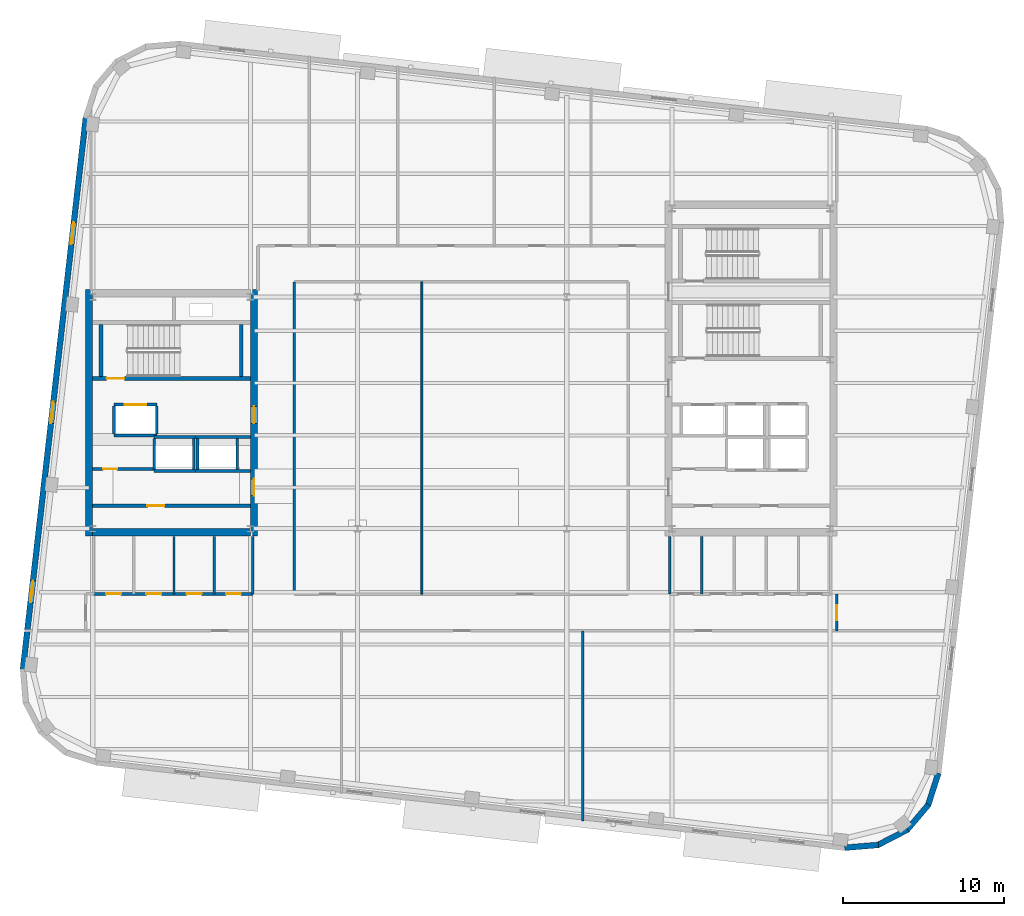
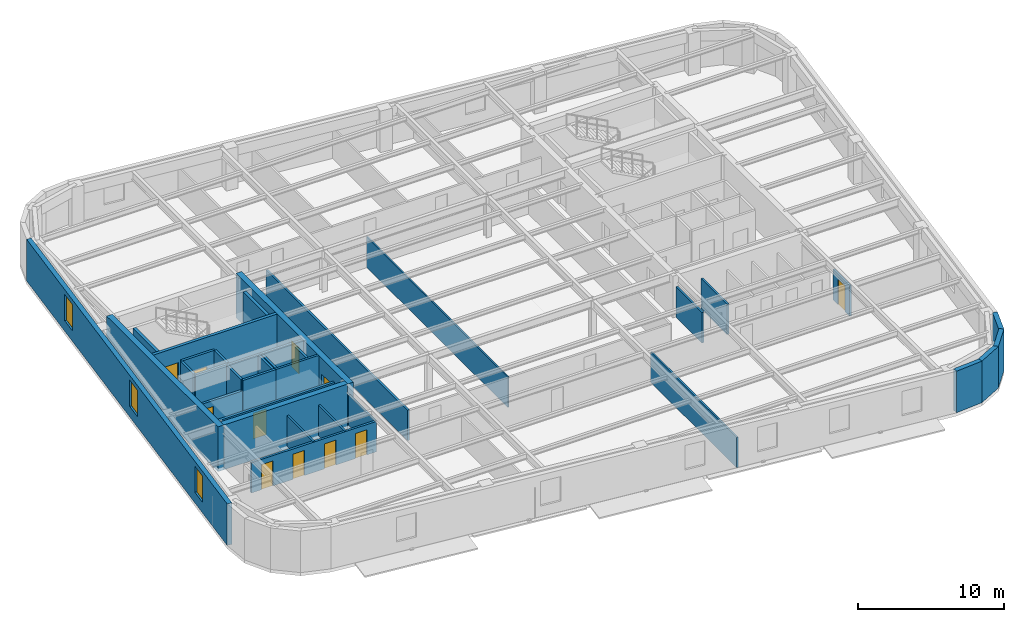
# One storey, part 6 of 13: 35 walls, 11 doors, 3 windows, 14 openings.
"""IFC4 building model written with IfcOpenShell, lengths in metres."""

from ifc_helpers import new_model, si_unit, direction, frame, frame_2d, origin, place, context, subcontext, project, spatial, rectangle, extrude, material, layer, layer_set, type_object, element, fill, save


model = new_model("IFC4")

# Units and contexts
model_context = context("Model", 3, precision=1e-05, world=origin(), true_north=direction((0.0, 1.0)))
body_context = subcontext(model_context, "Body", "Model", "MODEL_VIEW")
ifc_project = project(units=[si_unit("LENGTHUNIT", "METRE"), si_unit("AREAUNIT", "SQUARE_METRE"), si_unit("VOLUMEUNIT", "CUBIC_METRE"), si_unit("PLANEANGLEUNIT", "RADIAN"), si_unit("MASSUNIT", "GRAM", prefix="KILO")], contexts=[model_context])

# Site, building, storey
site_placement = place(None, origin())
site = spatial("IfcSite", under=ifc_project, at=site_placement, CompositionType="ELEMENT")
building_placement = place(site_placement, origin())
building = spatial("IfcBuilding", under=site, at=building_placement, Name="Kolvaren Arena Tower", CompositionType="ELEMENT")
storey_placement = place(building_placement, frame((0.0, 0.0, 254.699951171875)))
storey = spatial("IfcBuildingStorey", under=building, at=storey_placement, Name="L62", CompositionType="ELEMENT", Elevation=254.699951171875)

# Wall
ifc_material_1 = material(Name="Gypsum board acoustic assembly", Category="gypsum")
ifc_layer_1 = layer(ifc_material_1, 0.159912109375)
ifc_layer_set_1 = layer_set([ifc_layer_1], Name="Gypsum board acoustic assembly")
wall_type_1 = type_object("IfcWallType", Name="CORR-160", PredefinedType="PARTITIONING", material=ifc_layer_set_1)
wall_1_placement = place(storey_placement, frame((27.080078125, 15.3798828125, 0.0), z_axis=(0.0, 0.0, 1.0), x_axis=(0.0, 1.0, 0.0)))
element("IfcWall", 1, at=wall_1_placement, inside=storey, type_object=wall_type_1, Name="Interior Partition Wall (L62)", PredefinedType="PARTITIONING", context=body_context, shape_type="SweptSolid", body=[
    extrude(rectangle(XDim=19.400146484375, YDim=0.159912109375, at=frame_2d((9.7001953125, 0.0))), origin(), (0.0, 0.0, 1.0), 2.5400390625),
])

# Wall, opening, door
wall_2_placement = place(storey_placement, frame((60.780029296875, 13.10009765625, 0.0), z_axis=(0.0, 0.0, 1.0), x_axis=(0.0, 1.0, 0.0)))
wall_2 = element("IfcWall", 2, at=wall_2_placement, inside=storey, type_object=wall_type_1, Name="Interior Partition Wall (L62)", PredefinedType="PARTITIONING", context=body_context, shape_type="SweptSolid", body=[
    extrude(rectangle(XDim=2.2998046875, YDim=0.159912109375, at=frame_2d((1.14990234375, 0.0))), origin(), (0.0, 0.0, 1.0), 2.5400390625),
])
opening_1_placement = place(wall_2_placement, frame((0.64990234375, 0.0, 0.0)))
opening_1 = element("IfcOpeningElement", 3, at=opening_1_placement, cuts=wall_2, Name="Opening D05", PredefinedType="OPENING", context=body_context, shape_type="SweptSolid", body=[
    extrude(rectangle(XDim=0.949951171875, YDim=2.14990234375, at=frame_2d((0.47509765625, 1.074951171875))), frame((0.0, 0.08984375, 0.0), z_axis=(0.0, -1.0, 0.0), x_axis=(1.0, 0.0, 0.0)), (0.0, 0.0, 1.0), 0.179931640625),
])
ifc_material_2 = material(Name="Solid-core oak acoustic office door", Category="wood")
door_type_1 = type_object("IfcDoorType", Name="DOOR-OF-095", OperationType="NOTDEFINED", PredefinedType="DOOR", material=ifc_material_2)
door_1_placement = place(opening_1_placement, origin())
door_1 = element("IfcDoor", 4, at=door_1_placement, inside=storey, type_object=door_type_1, Name="East Wing Studio Door (L62)", OperationType="SINGLE_SWING_RIGHT", OverallHeight=2.14990234375, OverallWidth=0.949951171875, PredefinedType="DOOR", context=body_context, shape_type="SweptSolid", body=[
    extrude(rectangle(XDim=0.949951171875, YDim=2.14990234375, at=frame_2d((0.47509765625, 1.074951171875))), frame((0.0, 0.02490234375, 0.0), z_axis=(0.0, -1.0, 0.0), x_axis=(1.0, 0.0, 0.0)), (0.0, 0.0, 1.0), 0.050048828125),
])
fill(opening_1, door_1)

# Wall
ifc_material_3 = material(Name="Concrete 55 MPa", Category="concrete")
ifc_layer_2 = layer(ifc_material_3, 0.449951171875)
ifc_layer_set_2 = layer_set([ifc_layer_2], Name="Concrete 55 MPa")
wall_type_2 = type_object("IfcWallType", Name="CWALL-450", PredefinedType="SHEAR", material=ifc_layer_set_2)
wall_3_placement = place(storey_placement, frame((14.324951171875, 19.0, -0.27001953125), z_axis=(0.0, 0.0, 1.0), x_axis=(0.0, 1.0, 0.0)))
element("IfcWall", 5, at=wall_3_placement, inside=storey, type_object=wall_type_2, Name="Core Shear Wall WC-WEST (L62)", PredefinedType="SHEAR", context=body_context, shape_type="SweptSolid", body=[
    extrude(rectangle(XDim=15.300048828125, YDim=0.449951171875, at=frame_2d((7.64990234375, 0.0))), origin(), (0.0, 0.0, 1.0), 3.75),
])

# Wall, openings, doors
wall_4_placement = place(storey_placement, frame((24.574951171875, 19.0, -0.27001953125), z_axis=(0.0, 0.0, 1.0), x_axis=(0.0, 1.0, 0.0)))
wall_4 = element("IfcWall", 6, at=wall_4_placement, inside=storey, type_object=wall_type_2, Name="Core Shear Wall WC-EAST (L62)", PredefinedType="SHEAR", context=body_context, shape_type="SweptSolid", body=[
    extrude(rectangle(XDim=15.300048828125, YDim=0.449951171875, at=frame_2d((7.64990234375, 0.0))), origin(), (0.0, 0.0, 1.0), 3.75),
])
opening_2_placement = place(wall_4_placement, frame((2.5, 0.0, 0.27001953125)))
opening_2 = element("IfcOpeningElement", 7, at=opening_2_placement, cuts=wall_4, Name="Opening D04", PredefinedType="OPENING", context=body_context, shape_type="SweptSolid", body=[
    extrude(rectangle(XDim=1.050048828125, YDim=2.14990234375, at=frame_2d((0.52490234375, 1.074951171875))), frame((0.0, 0.23486328125, 0.0), z_axis=(0.0, -1.0, 0.0), x_axis=(1.0, 0.0, 0.0)), (0.0, 0.0, 1.0), 0.469970703125),
])
opening_3_placement = place(wall_4_placement, frame((7.0, 0.0, 0.27001953125)))
opening_3 = element("IfcOpeningElement", 8, at=opening_3_placement, cuts=wall_4, Name="Opening D04", PredefinedType="OPENING", context=body_context, shape_type="SweptSolid", body=[
    extrude(rectangle(XDim=1.050048828125, YDim=2.14990234375, at=frame_2d((0.52490234375, 1.074951171875))), frame((0.0, 0.23486328125, 0.0), z_axis=(0.0, -1.0, 0.0), x_axis=(1.0, 0.0, 0.0)), (0.0, 0.0, 1.0), 0.469970703125),
])
ifc_material_4 = material(Name="Fire-rated steel lobby door", Category="steel")
door_type_2 = type_object("IfcDoorType", Name="DOOR-FF-105", OperationType="NOTDEFINED", PredefinedType="DOOR", material=ifc_material_4)
door_2_placement = place(opening_2_placement, origin())
door_2 = element("IfcDoor", 9, at=door_2_placement, inside=storey, type_object=door_type_2, Name="West Lift Lobby Fire Door (L62)", OperationType="SINGLE_SWING_LEFT", OverallHeight=2.14990234375, OverallWidth=1.050048828125, PredefinedType="DOOR", context=body_context, shape_type="SweptSolid", body=[
    extrude(rectangle(XDim=1.050048828125, YDim=2.14990234375, at=frame_2d((0.52490234375, 1.074951171875))), frame((0.0, 0.02490234375, 0.0), z_axis=(0.0, -1.0, 0.0), x_axis=(1.0, 0.0, 0.0)), (0.0, 0.0, 1.0), 0.050048828125),
])
fill(opening_2, door_2)
door_3_placement = place(opening_3_placement, origin())
door_3 = element("IfcDoor", 10, at=door_3_placement, inside=storey, type_object=door_type_2, Name="West Firefighter Vestibule Door (L62)", OperationType="SINGLE_SWING_RIGHT", OverallHeight=2.14990234375, OverallWidth=1.050048828125, PredefinedType="DOOR", context=body_context, shape_type="SweptSolid", body=[
    extrude(rectangle(XDim=1.050048828125, YDim=2.14990234375, at=frame_2d((0.52490234375, 1.074951171875))), frame((0.0, 0.02490234375, 0.0), z_axis=(0.0, -1.0, 0.0), x_axis=(1.0, 0.0, 0.0)), (0.0, 0.0, 1.0), 0.050048828125),
])
fill(opening_3, door_3)

# Walls
wall_5_placement = place(storey_placement, frame((14.550048828125, 19.22509765625, -0.27001953125), z_axis=(0.0, 0.0, 1.0), x_axis=(1.0, 0.0, 0.0)))
element("IfcWall", 11, at=wall_5_placement, inside=storey, type_object=wall_type_2, Name="Core Shear Wall WC-SOUTH (L62)", PredefinedType="SHEAR", context=body_context, shape_type="SweptSolid", body=[
    extrude(rectangle(XDim=9.800048828125, YDim=0.449951171875, at=frame_2d((4.89990234375, 0.0))), origin(), (0.0, 0.0, 1.0), 3.75),
])
ifc_material_5 = material(Name="Precast concrete C50/60", Category="concrete")
ifc_layer_3 = layer(ifc_material_5, 0.360107421875)
ifc_layer_set_3 = layer_set([ifc_layer_3], Name="Precast concrete C50/60")
wall_type_3 = type_object("IfcWallType", Name="EXT-PIER2", PredefinedType="SOLIDWALL", material=ifc_layer_set_3)
wall_6_placement = place(storey_placement, frame((63.370361328125, -0.199462890625, 0.0), z_axis=(0.0, 0.0, 1.0), x_axis=(-0.996562518477, -0.082844111233, 0.0)))
element("IfcWall", 12, at=wall_6_placement, inside=storey, type_object=wall_type_3, Name="Exterior Precast Masonry-Frame Wall (L62)", PredefinedType="SOLIDWALL", context=body_context, shape_type="SweptSolid", body=[
    extrude(rectangle(XDim=2.107177734375, YDim=0.360107421875, at=frame_2d((1.0537109375, 0.0))), origin(), (0.0, 0.0, 1.0), 3.47998046875),
])
for number, where, z_axis, x_axis, name in (
    (13, (65.176025390625, 0.745849609375, 0.0), (0.0, 0.0, 1.0), (-0.888985992199, -0.457934390142, 0.0), "Exterior Precast Masonry-Frame Wall (L62)"),
    (14, (66.482421875, 2.310302734375, 0.0), (0.0, 0.0, 1.0), (-0.646103249464, -0.763250018691, 0.0), "Exterior Precast Masonry-Frame Wall (L62)"),
):
    element("IfcWall", number, at=place(storey_placement, frame(where, z_axis=z_axis, x_axis=x_axis)), inside=storey, type_object=wall_type_3, Name=name, PredefinedType="SOLIDWALL", context=body_context, shape_type="SweptSolid", body=[
        extrude(rectangle(XDim=2.10693359375, YDim=0.360107421875, at=frame_2d((1.053466796875, 0.0))), origin(), (0.0, 0.0, 1.0), 3.47998046875),
    ])
wall_7_placement = place(storey_placement, frame((67.0908203125, 4.255615234375, 0.0), z_axis=(0.0, 0.0, 1.0), x_axis=(-0.304838787518, -0.952403965565, 0.0)))
element("IfcWall", 15, at=wall_7_placement, inside=storey, type_object=wall_type_3, Name="Exterior Precast Masonry-Frame Wall (L62)", PredefinedType="SOLIDWALL", context=body_context, shape_type="SweptSolid", body=[
    extrude(rectangle(XDim=2.107177734375, YDim=0.360107421875, at=frame_2d((1.0537109375, 0.0))), origin(), (0.0, 0.0, 1.0), 3.47998046875),
])

# Wall, openings, windows
wall_8_placement = place(storey_placement, frame((10.211181640625, 10.70068359375, 0.0), z_axis=(0.0, 0.0, 1.0), x_axis=(0.113203107947, 0.993571867733, 0.0)))
wall_8 = element("IfcWall", 16, at=wall_8_placement, inside=storey, type_object=wall_type_3, Name="Exterior Precast Masonry-Frame Wall (L62)", PredefinedType="SOLIDWALL", context=body_context, shape_type="SweptSolid", body=[
    extrude(rectangle(XDim=34.5, YDim=0.360107421875, at=frame_2d((17.25, 0.0))), origin(), (0.0, 0.0, 1.0), 3.47998046875),
])
opening_4_placement = place(wall_8_placement, frame((4.199951171875, 0.0, 0.8798828125)))
opening_4 = element("IfcOpeningElement", 17, at=opening_4_placement, cuts=wall_8, Name="Opening W04", PredefinedType="OPENING", context=body_context, shape_type="SweptSolid", body=[
    extrude(rectangle(XDim=1.35009765625, YDim=2.199951171875, at=frame_2d((0.675048828125, 1.10009765625))), frame((0.0, 0.18994140625, 0.0), z_axis=(0.0, -1.0, 0.0), x_axis=(1.0, 0.0, 0.0)), (0.0, 0.0, 1.0), 0.380126953125),
])
opening_5_placement = place(wall_8_placement, frame((15.39990234375, 0.0, 0.8798828125)))
opening_5 = element("IfcOpeningElement", 18, at=opening_5_placement, cuts=wall_8, Name="Opening W04", PredefinedType="OPENING", context=body_context, shape_type="SweptSolid", body=[
    extrude(rectangle(XDim=1.35009765625, YDim=2.199951171875, at=frame_2d((0.675048828125, 1.10009765625))), frame((0.0, 0.18994140625, 0.0), z_axis=(0.0, -1.0, 0.0), x_axis=(1.0, 0.0, 0.0)), (0.0, 0.0, 1.0), 0.380126953125),
])
opening_6_placement = place(wall_8_placement, frame((26.60009765625, 0.0, 0.8798828125)))
opening_6 = element("IfcOpeningElement", 19, at=opening_6_placement, cuts=wall_8, Name="Opening W04", PredefinedType="OPENING", context=body_context, shape_type="SweptSolid", body=[
    extrude(rectangle(XDim=1.35009765625, YDim=2.199951171875, at=frame_2d((0.675048828125, 1.10009765625))), frame((0.0, 0.18994140625, 0.0), z_axis=(0.0, -1.0, 0.0), x_axis=(1.0, 0.0, 0.0)), (0.0, 0.0, 1.0), 0.380126953125),
])
ifc_material_6 = material(Name="Triple-glazed curved-facet corner window", Category="glass")
window_type = type_object("IfcWindowType", Name="WIN-CRN-A", PartitioningType="SINGLE_PANEL", PredefinedType="WINDOW", material=ifc_material_6)
window_1_placement = place(opening_4_placement, origin())
window_1 = element("IfcWindow", 20, at=window_1_placement, inside=storey, type_object=window_type, Name="End-Wall Punched Window (L62)", OverallHeight=2.199951171875, OverallWidth=1.35009765625, PartitioningType="SINGLE_PANEL", PredefinedType="WINDOW", context=body_context, shape_type="SweptSolid", body=[
    extrude(rectangle(XDim=1.35009765625, YDim=2.199951171875, at=frame_2d((0.675048828125, 1.10009765625))), frame((0.0, 0.030029296875, 0.0), z_axis=(0.0, -1.0, 0.0), x_axis=(1.0, 0.0, 0.0)), (0.0, 0.0, 1.0), 0.06005859375),
])
fill(opening_4, window_1)
window_2_placement = place(opening_5_placement, origin())
window_2 = element("IfcWindow", 21, at=window_2_placement, inside=storey, type_object=window_type, Name="End-Wall Punched Window (L62)", OverallHeight=2.199951171875, OverallWidth=1.35009765625, PartitioningType="SINGLE_PANEL", PredefinedType="WINDOW", context=body_context, shape_type="SweptSolid", body=[
    extrude(rectangle(XDim=1.35009765625, YDim=2.199951171875, at=frame_2d((0.675048828125, 1.10009765625))), frame((0.0, 0.030029296875, 0.0), z_axis=(0.0, -1.0, 0.0), x_axis=(1.0, 0.0, 0.0)), (0.0, 0.0, 1.0), 0.06005859375),
])
fill(opening_5, window_2)
window_3_placement = place(opening_6_placement, origin())
window_3 = element("IfcWindow", 22, at=window_3_placement, inside=storey, type_object=window_type, Name="End-Wall Punched Window (L62)", OverallHeight=2.199951171875, OverallWidth=1.35009765625, PartitioningType="SINGLE_PANEL", PredefinedType="WINDOW", context=body_context, shape_type="SweptSolid", body=[
    extrude(rectangle(XDim=1.35009765625, YDim=2.199951171875, at=frame_2d((0.675048828125, 1.10009765625))), frame((0.0, 0.030029296875, 0.0), z_axis=(0.0, -1.0, 0.0), x_axis=(1.0, 0.0, 0.0)), (0.0, 0.0, 1.0), 0.06005859375),
])
fill(opening_6, window_3)

# Wall, opening, door
ifc_material_7 = material(Name="Concrete 40 MPa", Category="concrete")
ifc_layer_4 = layer(ifc_material_7, 0.199951171875)
ifc_layer_set_4 = layer_set([ifc_layer_4], Name="Concrete 40 MPa")
wall_type_4 = type_object("IfcWallType", Name="LOBBY-200", PredefinedType="SOLIDWALL", material=ifc_layer_set_4)
wall_9_placement = place(storey_placement, frame((14.550048828125, 20.8798828125, 0.0), z_axis=(0.0, 0.0, 1.0), x_axis=(1.0, 0.0, 0.0)))
wall_9 = element("IfcWall", 23, at=wall_9_placement, inside=storey, type_object=wall_type_4, Name="Core Shaft Wall (L62)", PredefinedType="SOLIDWALL", context=body_context, shape_type="SweptSolid", body=[
    extrude(rectangle(XDim=9.800048828125, YDim=0.199951171875, at=frame_2d((4.89990234375, 0.0))), origin(), (0.0, 0.0, 1.0), 2.5400390625),
])
opening_7_placement = place(wall_9_placement, frame((3.39990234375, 0.0, 0.0)))
opening_7 = element("IfcOpeningElement", 24, at=opening_7_placement, cuts=wall_9, Name="Opening D04", PredefinedType="OPENING", context=body_context, shape_type="SweptSolid", body=[
    extrude(rectangle(XDim=1.050048828125, YDim=2.14990234375, at=frame_2d((0.52490234375, 1.074951171875))), frame((0.0, 0.10986328125, 0.0), z_axis=(0.0, -1.0, 0.0), x_axis=(1.0, 0.0, 0.0)), (0.0, 0.0, 1.0), 0.219970703125),
])
door_4_placement = place(opening_7_placement, origin())
door_4 = element("IfcDoor", 25, at=door_4_placement, inside=storey, type_object=door_type_2, Name="West IT Room Fire Door (L62)", OperationType="SINGLE_SWING_LEFT", OverallHeight=2.14990234375, OverallWidth=1.050048828125, PredefinedType="DOOR", context=body_context, shape_type="SweptSolid", body=[
    extrude(rectangle(XDim=1.050048828125, YDim=2.14990234375, at=frame_2d((0.52490234375, 1.074951171875))), frame((0.0, 0.02490234375, 0.0), z_axis=(0.0, -1.0, 0.0), x_axis=(1.0, 0.0, 0.0)), (0.0, 0.0, 1.0), 0.050048828125),
])
fill(opening_7, door_4)

wall_10_placement = place(storey_placement, frame((14.550048828125, 23.159912109375, 0.0), z_axis=(0.0, 0.0, 1.0), x_axis=(1.0, 0.0, 0.0)))
wall_10 = element("IfcWall", 26, at=wall_10_placement, inside=storey, type_object=wall_type_4, Name="Core Shaft Wall (L62)", PredefinedType="SOLIDWALL", context=body_context, shape_type="SweptSolid", body=[
    extrude(rectangle(XDim=3.820068359375, YDim=0.199951171875, at=frame_2d((1.91015625, 0.0))), origin(), (0.0, 0.0, 1.0), 2.5400390625),
])
opening_8_placement = place(wall_10_placement, frame((0.64990234375, 0.0, 0.0)))
opening_8 = element("IfcOpeningElement", 27, at=opening_8_placement, cuts=wall_10, Name="Opening D09", PredefinedType="OPENING", context=body_context, shape_type="SweptSolid", body=[
    extrude(rectangle(XDim=0.860107421875, YDim=2.050048828125, at=frame_2d((0.43017578125, 1.02490234375))), frame((0.0, 0.10986328125, 0.0), z_axis=(0.0, -1.0, 0.0), x_axis=(1.0, 0.0, 0.0)), (0.0, 0.0, 1.0), 0.219970703125),
])
ifc_material_8 = material(Name="Fire-rated steel riser access door", Category="steel")
door_type_3 = type_object("IfcDoorType", Name="DOOR-RS-086", OperationType="NOTDEFINED", PredefinedType="DOOR", material=ifc_material_8)
door_5_placement = place(opening_8_placement, origin())
door_5 = element("IfcDoor", 28, at=door_5_placement, inside=storey, type_object=door_type_3, Name="West Document Archive Riser Door (L62)", OperationType="SINGLE_SWING_RIGHT", OverallHeight=2.050048828125, OverallWidth=0.860107421875, PredefinedType="DOOR", context=body_context, shape_type="SweptSolid", body=[
    extrude(rectangle(XDim=0.860107421875, YDim=2.050048828125, at=frame_2d((0.43017578125, 1.02490234375))), frame((0.0, 0.02490234375, 0.0), z_axis=(0.0, -1.0, 0.0), x_axis=(1.0, 0.0, 0.0)), (0.0, 0.0, 1.0), 0.050048828125),
])
fill(opening_8, door_5)

# Walls
ifc_material_9 = material(Name="Gypsum board partition assembly", Category="gypsum")
ifc_layer_5 = layer(ifc_material_9, 0.114990234375)
ifc_layer_set_5 = layer_set([ifc_layer_5], Name="Gypsum board partition assembly")
wall_type_5 = type_object("IfcWallType", Name="PART-115", PredefinedType="PARTITIONING", material=ifc_layer_set_5)
wall_11_placement = place(storey_placement, frame((35.0, 15.3798828125, 0.0), z_axis=(0.0, 0.0, 1.0), x_axis=(0.0, 1.0, 0.0)))
element("IfcWall", 29, at=wall_11_placement, inside=storey, type_object=wall_type_5, Name="Interior Partition Wall (L62)", PredefinedType="PARTITIONING", context=body_context, shape_type="SweptSolid", body=[
    extrude(rectangle(XDim=19.400146484375, YDim=0.114990234375, at=frame_2d((9.7001953125, 0.0))), origin(), (0.0, 0.0, 1.0), 2.5400390625),
])
ifc_layer_6 = layer(ifc_material_9, 0.135009765625)
ifc_layer_set_6 = layer_set([ifc_layer_6], Name="Gypsum board partition assembly")
wall_type_6 = type_object("IfcWallType", Name="PART-135", PredefinedType="PARTITIONING", material=ifc_layer_set_6)
wall_12_placement = place(storey_placement, frame((45.0, 1.302001953125, 0.0), z_axis=(0.0, 0.0, 1.0), x_axis=(0.0, 1.0, 0.0)))
element("IfcWall", 30, at=wall_12_placement, inside=storey, type_object=wall_type_6, Name="Interior Partition Wall (L62)", PredefinedType="PARTITIONING", context=body_context, shape_type="SweptSolid", body=[
    extrude(rectangle(XDim=11.798095703125, YDim=0.135009765625, at=frame_2d((5.89892578125, 0.0))), origin(), (0.0, 0.0, 1.0), 2.5400390625),
])

# Wall, opening, door
ifc_material_10 = material(Name="Concrete 45 MPa", Category="concrete")
ifc_layer_7 = layer(ifc_material_10, 0.25)
ifc_layer_set_7 = layer_set([ifc_layer_7], Name="Concrete 45 MPa")
wall_type_7 = type_object("IfcWallType", Name="SHAFT-250", PredefinedType="SOLIDWALL", material=ifc_layer_set_7)
wall_13_placement = place(storey_placement, frame((24.35009765625, 28.780029296875, 0.0), z_axis=(0.0, 0.0, 1.0), x_axis=(-1.0, 0.0, 0.0)))
wall_13 = element("IfcWall", 31, at=wall_13_placement, inside=storey, type_object=wall_type_7, Name="Core Shaft Wall (L62)", PredefinedType="SOLIDWALL", context=body_context, shape_type="SweptSolid", body=[
    extrude(rectangle(XDim=9.800048828125, YDim=0.239990234375, at=frame_2d((4.89990234375, 0.0))), origin(), (0.0, 0.0, 1.0), 3.47998046875),
])
opening_9_placement = place(wall_13_placement, frame((7.830078125, 0.0, 0.0)))
opening_9 = element("IfcOpeningElement", 32, at=opening_9_placement, cuts=wall_13, Name="Opening D03", PredefinedType="OPENING", context=body_context, shape_type="SweptSolid", body=[
    extrude(rectangle(XDim=1.10009765625, YDim=2.14990234375, at=frame_2d((0.550048828125, 1.074951171875))), frame((0.0, 0.1298828125, 0.0), z_axis=(0.0, -1.0, 0.0), x_axis=(1.0, 0.0, 0.0)), (0.0, 0.0, 1.0), 0.260009765625),
])
ifc_material_11 = material(Name="Fire-rated steel exit stair door", Category="steel")
door_type_4 = type_object("IfcDoorType", Name="DOOR-ST-110", OperationType="NOTDEFINED", PredefinedType="DOOR", material=ifc_material_11)
door_6_placement = place(opening_9_placement, origin())
door_6 = element("IfcDoor", 33, at=door_6_placement, inside=storey, type_object=door_type_4, Name="Stair ST-W1 Fire Door (L62)", OperationType="SINGLE_SWING_RIGHT", OverallHeight=2.14990234375, OverallWidth=1.10009765625, PredefinedType="DOOR", context=body_context, shape_type="SweptSolid", body=[
    extrude(rectangle(XDim=1.10009765625, YDim=2.14990234375, at=frame_2d((0.550048828125, 1.074951171875))), frame((0.0, 0.02490234375, 0.0), z_axis=(0.0, -1.0, 0.0), x_axis=(1.0, 0.0, 0.0)), (0.0, 0.0, 1.0), 0.050048828125),
])
fill(opening_9, door_6)

# Walls
for number, where, z_axis, x_axis, name in (
    (34, (15.06005859375, 28.89990234375, 0.0), (0.0, 0.0, 1.0), (0.0, 1.0, 0.0), "Core Shaft Wall (L62)"),
    (35, (23.780029296875, 28.89990234375, 0.0), (0.0, 0.0, 1.0), (0.0, 1.0, 0.0), "Core Shaft Wall (L62)"),
):
    element("IfcWall", number, at=place(storey_placement, frame(where, z_axis=z_axis, x_axis=x_axis)), inside=storey, type_object=wall_type_7, Name=name, PredefinedType="SOLIDWALL", context=body_context, shape_type="SweptSolid", body=[
        extrude(rectangle(XDim=3.22998046875, YDim=0.239990234375, at=frame_2d((1.614990234375, 0.0))), origin(), (0.0, 0.0, 1.0), 3.47998046875),
    ])
for number, where, z_axis, x_axis, name in (
    (36, (18.3701171875, 25.155029296875, 0.0), (0.0, 0.0, 1.0), (1.0, 0.0, 0.0), "Core Shaft Wall (L62)"),
    (37, (18.3701171875, 23.044921875, 0.0), (0.0, 0.0, 1.0), (1.0, 0.0, 0.0), "Core Shaft Wall (L62)"),
):
    element("IfcWall", number, at=place(storey_placement, frame(where, z_axis=z_axis, x_axis=x_axis)), inside=storey, type_object=wall_type_7, Name=name, PredefinedType="SOLIDWALL", context=body_context, shape_type="SweptSolid", body=[
        extrude(rectangle(XDim=2.579833984375, YDim=0.179931640625, at=frame_2d((1.2900390625, 0.0))), origin(), (0.0, 0.0, 1.0), 3.47998046875),
    ])
for number, where, z_axis, x_axis, name in (
    (38, (18.3701171875, 23.135009765625, 0.0), (0.0, 0.0, 1.0), (0.0, 1.0, 0.0), "Core Shaft Wall (L62)"),
    (39, (20.830078125, 23.135009765625, 0.0), (0.0, 0.0, 1.0), (0.0, 1.0, 0.0), "Core Shaft Wall (L62)"),
):
    element("IfcWall", number, at=place(storey_placement, frame(where, z_axis=z_axis, x_axis=x_axis)), inside=storey, type_object=wall_type_7, Name=name, PredefinedType="SOLIDWALL", context=body_context, shape_type="SweptSolid", body=[
        extrude(rectangle(XDim=1.929931640625, YDim=0.179931640625, at=frame_2d((0.96484375, 0.0))), origin(), (0.0, 0.0, 1.0), 3.47998046875),
    ])
for number, where, z_axis, x_axis, name in (
    (40, (20.949951171875, 25.155029296875, 0.0), (0.0, 0.0, 1.0), (1.0, 0.0, 0.0), "Core Shaft Wall (L62)"),
    (41, (20.949951171875, 23.044921875, 0.0), (0.0, 0.0, 1.0), (1.0, 0.0, 0.0), "Core Shaft Wall (L62)"),
):
    element("IfcWall", number, at=place(storey_placement, frame(where, z_axis=z_axis, x_axis=x_axis)), inside=storey, type_object=wall_type_7, Name=name, PredefinedType="SOLIDWALL", context=body_context, shape_type="SweptSolid", body=[
        extrude(rectangle(XDim=3.400146484375, YDim=0.179931640625, at=frame_2d((1.7001953125, 0.0))), origin(), (0.0, 0.0, 1.0), 3.47998046875),
    ])
for number, where, z_axis, x_axis, name in (
    (42, (21.070068359375, 23.135009765625, 0.0), (0.0, 0.0, 1.0), (0.0, 1.0, 0.0), "Core Shaft Wall (L62)"),
    (43, (23.530029296875, 23.135009765625, 0.0), (0.0, 0.0, 1.0), (0.0, 1.0, 0.0), "Core Shaft Wall (L62)"),
):
    element("IfcWall", number, at=place(storey_placement, frame(where, z_axis=z_axis, x_axis=x_axis)), inside=storey, type_object=wall_type_7, Name=name, PredefinedType="SOLIDWALL", context=body_context, shape_type="SweptSolid", body=[
        extrude(rectangle(XDim=1.929931640625, YDim=0.179931640625, at=frame_2d((0.96484375, 0.0))), origin(), (0.0, 0.0, 1.0), 3.47998046875),
    ])

# Wall, opening, door
wall_14_placement = place(storey_placement, frame((15.8701171875, 27.155029296875, 0.0), z_axis=(0.0, 0.0, 1.0), x_axis=(1.0, 0.0, 0.0)))
wall_14 = element("IfcWall", 44, at=wall_14_placement, inside=storey, type_object=wall_type_7, Name="Core Shaft Wall (L62)", PredefinedType="SOLIDWALL", context=body_context, shape_type="SweptSolid", body=[
    extrude(rectangle(XDim=2.659912109375, YDim=0.179931640625, at=frame_2d((1.330078125, 0.0))), origin(), (0.0, 0.0, 1.0), 3.47998046875),
])
opening_10_placement = place(wall_14_placement, frame((0.655029296875, 0.0, 0.0)))
opening_10 = element("IfcOpeningElement", 45, at=opening_10_placement, cuts=wall_14, Name="Opening LD2", PredefinedType="OPENING", context=body_context, shape_type="SweptSolid", body=[
    extrude(rectangle(XDim=1.35009765625, YDim=2.300048828125, at=frame_2d((0.675048828125, 1.14990234375))), frame((0.0, 0.099853515625, 0.0), z_axis=(0.0, -1.0, 0.0), x_axis=(1.0, 0.0, 0.0)), (0.0, 0.0, 1.0), 0.199951171875),
])
ifc_material_12 = material(Name="Stainless steel firefighter lift landing door", Category="steel")
door_type_5 = type_object("IfcDoorType", Name="DOOR-LD-135", OperationType="DOUBLE_DOOR_SLIDING", PredefinedType="DOOR", material=ifc_material_12)
door_7_placement = place(opening_10_placement, origin())
door_7 = element("IfcDoor", 46, at=door_7_placement, inside=storey, type_object=door_type_5, Name="Firefighter Lift FF-W1 Landing Door (L62)", OperationType="DOUBLE_DOOR_SLIDING", OverallHeight=2.300048828125, OverallWidth=1.35009765625, PredefinedType="DOOR", context=body_context, shape_type="SweptSolid", body=[
    extrude(rectangle(XDim=1.35009765625, YDim=2.300048828125, at=frame_2d((0.675048828125, 1.14990234375))), frame((0.0, 0.02490234375, 0.0), z_axis=(0.0, -1.0, 0.0), x_axis=(1.0, 0.0, 0.0)), (0.0, 0.0, 1.0), 0.050048828125),
])
fill(opening_10, door_7)

# Walls
wall_15_placement = place(storey_placement, frame((15.8701171875, 25.2451171875, 0.0), z_axis=(0.0, 0.0, 1.0), x_axis=(1.0, 0.0, 0.0)))
element("IfcWall", 47, at=wall_15_placement, inside=storey, type_object=wall_type_7, Name="Core Shaft Wall (L62)", PredefinedType="SOLIDWALL", context=body_context, shape_type="SweptSolid", body=[
    extrude(rectangle(XDim=2.659912109375, YDim=0.179931640625, at=frame_2d((1.330078125, 0.0))), origin(), (0.0, 0.0, 1.0), 3.47998046875),
])
for number, where, z_axis, x_axis, name in (
    (48, (15.8701171875, 25.3349609375, 0.0), (0.0, 0.0, 1.0), (0.0, 1.0, 0.0), "Core Shaft Wall (L62)"),
    (49, (18.530029296875, 25.3349609375, 0.0), (0.0, 0.0, 1.0), (0.0, 1.0, 0.0), "Core Shaft Wall (L62)"),
):
    element("IfcWall", number, at=place(storey_placement, frame(where, z_axis=z_axis, x_axis=x_axis)), inside=storey, type_object=wall_type_7, Name=name, PredefinedType="SOLIDWALL", context=body_context, shape_type="SweptSolid", body=[
        extrude(rectangle(XDim=1.72998046875, YDim=0.179931640625, at=frame_2d((0.864990234375, 0.0))), origin(), (0.0, 0.0, 1.0), 3.47998046875),
    ])
ifc_material_13 = material(Name="Moisture-resistant gypsum assembly", Category="gypsum")
ifc_layer_8 = layer(ifc_material_13, 0.14990234375)
ifc_layer_set_8 = layer_set([ifc_layer_8], Name="Moisture-resistant gypsum assembly")
wall_type_8 = type_object("IfcWallType", Name="WETW-150", PredefinedType="PARTITIONING", material=ifc_layer_set_8)
for number, where, z_axis, x_axis, name in (
    (50, (19.60009765625, 15.39990234375, 0.0), (0.0, 0.0, 1.0), (0.0, 1.0, 0.0), "Interior Partition Wall (L62)"),
    (51, (22.10009765625, 15.39990234375, 0.0), (0.0, 0.0, 1.0), (0.0, 1.0, 0.0), "Interior Partition Wall (L62)"),
):
    element("IfcWall", number, at=place(storey_placement, frame(where, z_axis=z_axis, x_axis=x_axis)), inside=storey, type_object=wall_type_8, Name=name, PredefinedType="PARTITIONING", context=body_context, shape_type="SweptSolid", body=[
        extrude(rectangle(XDim=3.580078125, YDim=0.14990234375, at=frame_2d((1.7900390625, 0.0))), origin(), (0.0, 0.0, 1.0), 2.5400390625),
    ])

# Wall, openings, doors
wall_16_placement = place(storey_placement, frame((14.60009765625, 15.39990234375, 0.0), z_axis=(0.0, 0.0, 1.0), x_axis=(1.0, 0.0, 0.0)))
wall_16 = element("IfcWall", 52, at=wall_16_placement, inside=storey, type_object=wall_type_8, Name="Interior Partition Wall (L62)", PredefinedType="PARTITIONING", context=body_context, shape_type="SweptSolid", body=[
    extrude(rectangle(XDim=9.89990234375, YDim=0.179931640625, at=frame_2d((4.949951171875, 0.0))), origin(), (0.0, 0.0, 1.0), 2.5400390625),
])
opening_11_placement = place(wall_16_placement, frame((0.7900390625, 0.0, 0.0)))
opening_11 = element("IfcOpeningElement", 53, at=opening_11_placement, cuts=wall_16, Name="Opening D07", PredefinedType="OPENING", context=body_context, shape_type="SweptSolid", body=[
    extrude(rectangle(XDim=0.919921875, YDim=2.10009765625, at=frame_2d((0.4599609375, 1.050048828125))), frame((0.0, 0.099853515625, 0.0), z_axis=(0.0, -1.0, 0.0), x_axis=(1.0, 0.0, 0.0)), (0.0, 0.0, 1.0), 0.199951171875),
])
opening_12_placement = place(wall_16_placement, frame((3.2900390625, 0.0, 0.0)))
opening_12 = element("IfcOpeningElement", 54, at=opening_12_placement, cuts=wall_16, Name="Opening D07", PredefinedType="OPENING", context=body_context, shape_type="SweptSolid", body=[
    extrude(rectangle(XDim=0.919921875, YDim=2.10009765625, at=frame_2d((0.4599609375, 1.050048828125))), frame((0.0, 0.099853515625, 0.0), z_axis=(0.0, -1.0, 0.0), x_axis=(1.0, 0.0, 0.0)), (0.0, 0.0, 1.0), 0.199951171875),
])
opening_13_placement = place(wall_16_placement, frame((5.7900390625, 0.0, 0.0)))
opening_13 = element("IfcOpeningElement", 55, at=opening_13_placement, cuts=wall_16, Name="Opening D07", PredefinedType="OPENING", context=body_context, shape_type="SweptSolid", body=[
    extrude(rectangle(XDim=0.919921875, YDim=2.10009765625, at=frame_2d((0.4599609375, 1.050048828125))), frame((0.0, 0.099853515625, 0.0), z_axis=(0.0, -1.0, 0.0), x_axis=(1.0, 0.0, 0.0)), (0.0, 0.0, 1.0), 0.199951171875),
])
opening_14_placement = place(wall_16_placement, frame((8.239990234375, 0.0, 0.0)))
opening_14 = element("IfcOpeningElement", 56, at=opening_14_placement, cuts=wall_16, Name="Opening D07", PredefinedType="OPENING", context=body_context, shape_type="SweptSolid", body=[
    extrude(rectangle(XDim=0.919921875, YDim=2.10009765625, at=frame_2d((0.4599609375, 1.050048828125))), frame((0.0, 0.099853515625, 0.0), z_axis=(0.0, -1.0, 0.0), x_axis=(1.0, 0.0, 0.0)), (0.0, 0.0, 1.0), 0.199951171875),
])
ifc_material_14 = material(Name="Laminate universal washroom door", Category="wood")
door_type_6 = type_object("IfcDoorType", Name="DOOR-WC-092", OperationType="NOTDEFINED", PredefinedType="DOOR", material=ifc_material_14)
door_8_placement = place(opening_11_placement, origin())
door_8 = element("IfcDoor", 57, at=door_8_placement, inside=storey, type_object=door_type_6, Name="Women Restroom Door (L62)", OperationType="SINGLE_SWING_RIGHT", OverallHeight=2.10009765625, OverallWidth=0.919921875, PredefinedType="DOOR", context=body_context, shape_type="SweptSolid", body=[
    extrude(rectangle(XDim=0.919921875, YDim=2.10009765625, at=frame_2d((0.4599609375, 1.050048828125))), frame((0.0, 0.02490234375, 0.0), z_axis=(0.0, -1.0, 0.0), x_axis=(1.0, 0.0, 0.0)), (0.0, 0.0, 1.0), 0.050048828125),
])
fill(opening_11, door_8)
door_9_placement = place(opening_12_placement, origin())
door_9 = element("IfcDoor", 58, at=door_9_placement, inside=storey, type_object=door_type_6, Name="Men Restroom Door (L62)", OperationType="SINGLE_SWING_LEFT", OverallHeight=2.10009765625, OverallWidth=0.919921875, PredefinedType="DOOR", context=body_context, shape_type="SweptSolid", body=[
    extrude(rectangle(XDim=0.919921875, YDim=2.10009765625, at=frame_2d((0.4599609375, 1.050048828125))), frame((0.0, 0.02490234375, 0.0), z_axis=(0.0, -1.0, 0.0), x_axis=(1.0, 0.0, 0.0)), (0.0, 0.0, 1.0), 0.050048828125),
])
fill(opening_12, door_9)
door_10_placement = place(opening_13_placement, origin())
door_10 = element("IfcDoor", 59, at=door_10_placement, inside=storey, type_object=door_type_6, Name="Universal Barrier-Free Washroom Door (L62)", OperationType="SINGLE_SWING_RIGHT", OverallHeight=2.10009765625, OverallWidth=0.919921875, PredefinedType="DOOR", context=body_context, shape_type="SweptSolid", body=[
    extrude(rectangle(XDim=0.919921875, YDim=2.10009765625, at=frame_2d((0.4599609375, 1.050048828125))), frame((0.0, 0.02490234375, 0.0), z_axis=(0.0, -1.0, 0.0), x_axis=(1.0, 0.0, 0.0)), (0.0, 0.0, 1.0), 0.050048828125),
])
fill(opening_13, door_10)
door_11_placement = place(opening_14_placement, origin())
door_11 = element("IfcDoor", 60, at=door_11_placement, inside=storey, type_object=door_type_6, Name="Linen Store Door (L62)", OperationType="SINGLE_SWING_LEFT", OverallHeight=2.10009765625, OverallWidth=0.919921875, PredefinedType="DOOR", context=body_context, shape_type="SweptSolid", body=[
    extrude(rectangle(XDim=0.919921875, YDim=2.10009765625, at=frame_2d((0.4599609375, 1.050048828125))), frame((0.0, 0.02490234375, 0.0), z_axis=(0.0, -1.0, 0.0), x_axis=(1.0, 0.0, 0.0)), (0.0, 0.0, 1.0), 0.050048828125),
])
fill(opening_14, door_11)

# Walls
for number, where, z_axis, x_axis, name in (
    (61, (24.5, 15.39990234375, 0.0), (0.0, 0.0, 1.0), (0.0, 1.0, 0.0), "Interior Partition Wall (L62)"),
    (62, (52.39990234375, 15.39990234375, 0.0), (0.0, 0.0, 1.0), (0.0, 1.0, 0.0), "Interior Partition Wall (L62)"),
    (63, (50.39990234375, 15.39990234375, 0.0), (0.0, 0.0, 1.0), (0.0, 1.0, 0.0), "Interior Partition Wall (L62)"),
):
    element("IfcWall", number, at=place(storey_placement, frame(where, z_axis=z_axis, x_axis=x_axis)), inside=storey, type_object=wall_type_8, Name=name, PredefinedType="PARTITIONING", context=body_context, shape_type="SweptSolid", body=[
        extrude(rectangle(XDim=3.580078125, YDim=0.14990234375, at=frame_2d((1.7900390625, 0.0))), origin(), (0.0, 0.0, 1.0), 2.5400390625),
    ])

save(model, "model.ifc")
